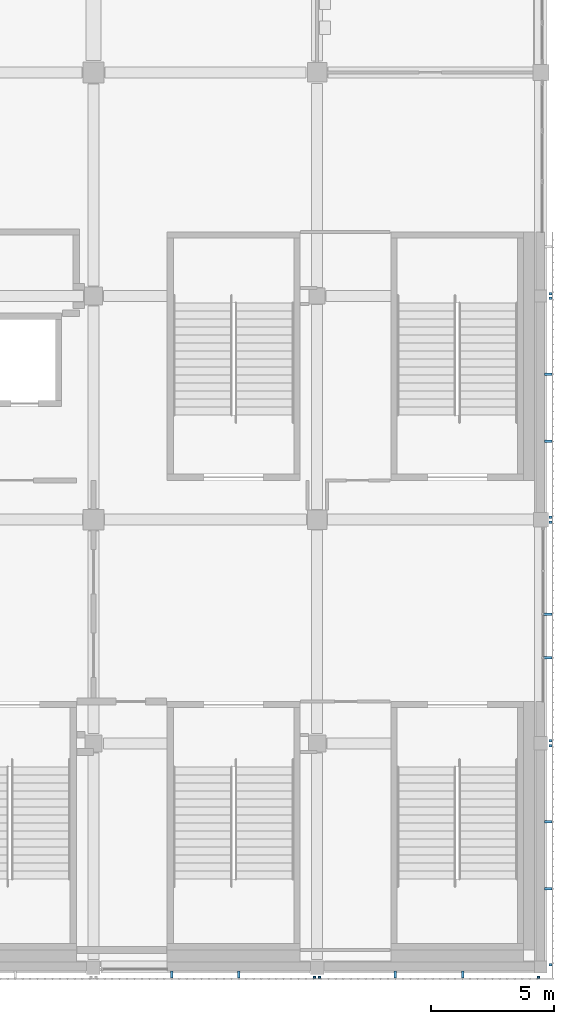
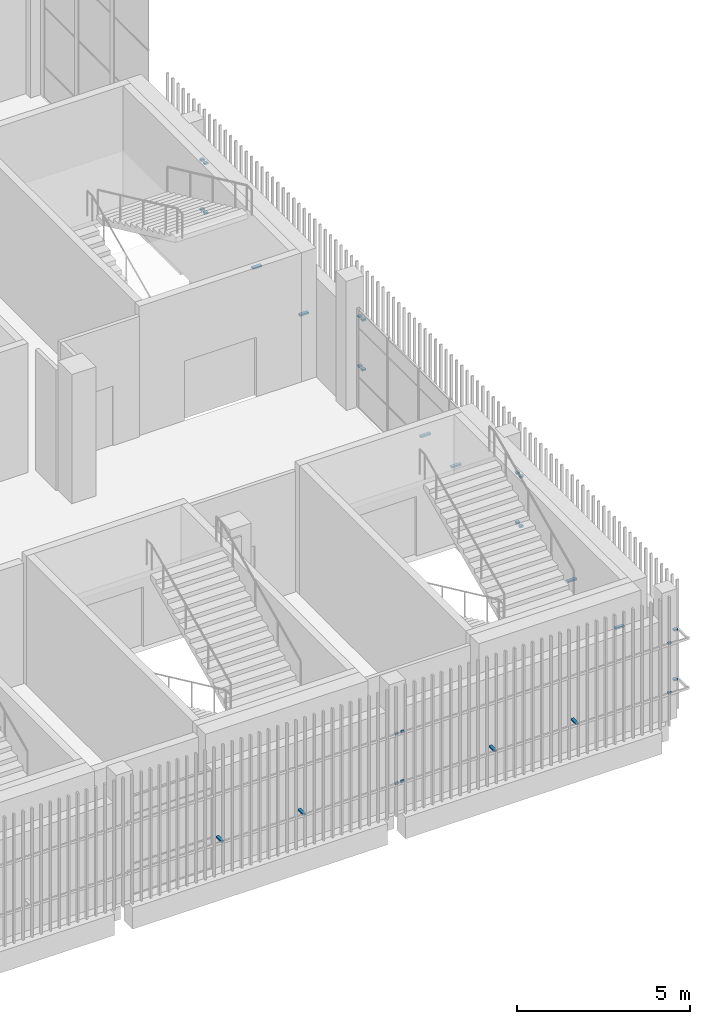
# One storey, part 104 of 126: 30 discrete accessories.
"""IFC4 building model written with IfcOpenShell, lengths in metres."""

from ifc_helpers import new_model, si_unit, direction, frame, origin, origin_2d, place, context, subcontext, project, spatial, rectangle, extrude, material, type_object, element, save


model = new_model("IFC4")

# Units and contexts
model_context = context("Model", 3, precision=1e-05, world=origin(), true_north=direction((0.0, 1.0)))
body_context = subcontext(model_context, "Body", "Model", "MODEL_VIEW")
ifc_project = project(units=[si_unit("LENGTHUNIT", "METRE"), si_unit("AREAUNIT", "SQUARE_METRE"), si_unit("VOLUMEUNIT", "CUBIC_METRE"), si_unit("PLANEANGLEUNIT", "RADIAN"), si_unit("MASSUNIT", "GRAM", prefix="KILO")], contexts=[model_context])

# Site, building, storey
site_placement = place(None, origin())
site = spatial("IfcSite", under=ifc_project, at=site_placement, CompositionType="ELEMENT")
building_placement = place(site_placement, origin())
building = spatial("IfcBuilding", under=site, at=building_placement, Name="Shirokan Park Arena", CompositionType="ELEMENT")
storey_placement = place(building_placement, frame((0.0, 0.0, 6.3701171875)))
storey = spatial("IfcBuildingStorey", under=building, at=storey_placement, Name="L01", CompositionType="ELEMENT", Elevation=6.3701171875)

# Discrete accessories
ifc_material = material(Name="Steel S355", Category="steel")
discrete_accessory_type = type_object("IfcDiscreteAccessoryType", Name="Veil bracket 100x60", PredefinedType="BRACKET", material=ifc_material)
for number, where, z_axis, x_axis, name in (
    (1, (136.39990234375, -0.409912109375, 1.06982421875), (0.0, 0.0, 1.0), (1.0, 0.0, 0.0), "Veil bracket south bay 15 L01 2"),
    (2, (136.39990234375, -0.409912109375, 2.81982421875), (0.0, 0.0, 1.0), (1.0, 0.0, 0.0), "Veil bracket south bay 15 L01 4"),
):
    element("IfcDiscreteAccessory", number, at=place(storey_placement, frame(where, z_axis=z_axis, x_axis=x_axis)), inside=storey, type_object=discrete_accessory_type, Name=name, PredefinedType="BRACKET", context=body_context, shape_type="SweptSolid", body=[
        extrude(rectangle(XDim=0.10009765625, YDim=0.070068359375, at=origin_2d()), origin(), (0.0, 0.0, 1.0), 0.06005859375),
    ])
for number, where, z_axis, x_axis, name in (
    (3, (130.5849609375, -0.297607421875, 1.06982421875), (0.0, 0.0, 1.0), (1.0, 0.0, 0.0), "Veil bracket south bay 15 L01 wall 1"),
    (4, (133.31494140625, -0.297607421875, 1.06982421875), (0.0, 0.0, 1.0), (1.0, 0.0, 0.0), "Veil bracket south bay 15 L01 wall 2"),
):
    element("IfcDiscreteAccessory", number, at=place(storey_placement, frame(where, z_axis=z_axis, x_axis=x_axis)), inside=storey, type_object=discrete_accessory_type, Name=name, PredefinedType="BRACKET", context=body_context, shape_type="SweptSolid", body=[
        extrude(rectangle(XDim=0.10009765625, YDim=0.294921875, at=origin_2d()), origin(), (0.0, 0.0, 1.0), 0.06005859375),
    ])
for number, where, z_axis, x_axis, name in (
    (5, (136.60009765625, -0.409912109375, 1.06982421875), (0.0, 0.0, 1.0), (1.0, 0.0, 0.0), "Veil bracket south bay 16 L01 1"),
    (6, (145.5, -0.409912109375, 1.06982421875), (0.0, 0.0, 1.0), (1.0, 0.0, 0.0), "Veil bracket south bay 16 L01 2"),
    (7, (136.60009765625, -0.409912109375, 2.81982421875), (0.0, 0.0, 1.0), (1.0, 0.0, 0.0), "Veil bracket south bay 16 L01 3"),
    (8, (145.5, -0.409912109375, 2.81982421875), (0.0, 0.0, 1.0), (1.0, 0.0, 0.0), "Veil bracket south bay 16 L01 4"),
):
    element("IfcDiscreteAccessory", number, at=place(storey_placement, frame(where, z_axis=z_axis, x_axis=x_axis)), inside=storey, type_object=discrete_accessory_type, Name=name, PredefinedType="BRACKET", context=body_context, shape_type="SweptSolid", body=[
        extrude(rectangle(XDim=0.10009765625, YDim=0.070068359375, at=origin_2d()), origin(), (0.0, 0.0, 1.0), 0.06005859375),
    ])
for number, where, z_axis, x_axis, name in (
    (9, (139.68505859375, -0.297607421875, 1.06982421875), (0.0, 0.0, 1.0), (1.0, 0.0, 0.0), "Veil bracket south bay 16 L01 wall 1"),
    (10, (142.4150390625, -0.297607421875, 1.06982421875), (0.0, 0.0, 1.0), (1.0, 0.0, 0.0), "Veil bracket south bay 16 L01 wall 2"),
):
    element("IfcDiscreteAccessory", number, at=place(storey_placement, frame(where, z_axis=z_axis, x_axis=x_axis)), inside=storey, type_object=discrete_accessory_type, Name=name, PredefinedType="BRACKET", context=body_context, shape_type="SweptSolid", body=[
        extrude(rectangle(XDim=0.10009765625, YDim=0.294921875, at=origin_2d()), origin(), (0.0, 0.0, 1.0), 0.06005859375),
    ])
for number, where, z_axis, x_axis, name in (
    (11, (145.985107421875, 0.10009765625, 1.06982421875), (0.0, 0.0, 1.0), (0.0, 1.0, 0.0), "Veil bracket east bay 1 L01 1"),
    (12, (145.985107421875, 9.0, 1.06982421875), (0.0, 0.0, 1.0), (0.0, 1.0, 0.0), "Veil bracket east bay 1 L01 2"),
    (13, (145.985107421875, 0.10009765625, 2.81982421875), (0.0, 0.0, 1.0), (0.0, 1.0, 0.0), "Veil bracket east bay 1 L01 3"),
    (14, (145.985107421875, 9.0, 2.81982421875), (0.0, 0.0, 1.0), (0.0, 1.0, 0.0), "Veil bracket east bay 1 L01 4"),
):
    element("IfcDiscreteAccessory", number, at=place(storey_placement, frame(where, z_axis=z_axis, x_axis=x_axis)), inside=storey, type_object=discrete_accessory_type, Name=name, PredefinedType="BRACKET", context=body_context, shape_type="SweptSolid", body=[
        extrude(rectangle(XDim=0.10009765625, YDim=0.1201171875, at=origin_2d()), origin(), (0.0, 0.0, 1.0), 0.06005859375),
    ])
for number, where, z_axis, x_axis, name in (
    (15, (145.8974609375, 3.18505859375, 1.06982421875), (0.0, 0.0, 1.0), (0.0, 1.0, 0.0), "Veil bracket east bay 1 L01 wall 1"),
    (16, (145.8974609375, 5.9150390625, 1.06982421875), (0.0, 0.0, 1.0), (0.0, 1.0, 0.0), "Veil bracket east bay 1 L01 wall 2"),
):
    element("IfcDiscreteAccessory", number, at=place(storey_placement, frame(where, z_axis=z_axis, x_axis=x_axis)), inside=storey, type_object=discrete_accessory_type, Name=name, PredefinedType="BRACKET", context=body_context, shape_type="SweptSolid", body=[
        extrude(rectangle(XDim=0.10009765625, YDim=0.294921875, at=origin_2d()), origin(), (0.0, 0.0, 1.0), 0.06005859375),
    ])
for number, where, z_axis, x_axis, name in (
    (17, (145.985107421875, 9.199951171875, 1.06982421875), (0.0, 0.0, 1.0), (0.0, 1.0, 0.0), "Veil bracket east bay 2 L01 1"),
    (18, (145.985107421875, 18.10009765625, 1.06982421875), (0.0, 0.0, 1.0), (0.0, 1.0, 0.0), "Veil bracket east bay 2 L01 2"),
    (19, (145.985107421875, 9.199951171875, 2.81982421875), (0.0, 0.0, 1.0), (0.0, 1.0, 0.0), "Veil bracket east bay 2 L01 3"),
    (20, (145.985107421875, 18.10009765625, 2.81982421875), (0.0, 0.0, 1.0), (0.0, 1.0, 0.0), "Veil bracket east bay 2 L01 4"),
):
    element("IfcDiscreteAccessory", number, at=place(storey_placement, frame(where, z_axis=z_axis, x_axis=x_axis)), inside=storey, type_object=discrete_accessory_type, Name=name, PredefinedType="BRACKET", context=body_context, shape_type="SweptSolid", body=[
        extrude(rectangle(XDim=0.10009765625, YDim=0.1201171875, at=origin_2d()), origin(), (0.0, 0.0, 1.0), 0.06005859375),
    ])
for number, where, z_axis, x_axis, name in (
    (21, (145.8798828125, 12.574951171875, 1.06982421875), (0.0, 0.0, 1.0), (0.0, 1.0, 0.0), "Veil bracket east bay 2 L01 wall 1"),
    (22, (145.8798828125, 14.35009765625, 1.06982421875), (0.0, 0.0, 1.0), (0.0, 1.0, 0.0), "Veil bracket east bay 2 L01 wall 2"),
):
    element("IfcDiscreteAccessory", number, at=place(storey_placement, frame(where, z_axis=z_axis, x_axis=x_axis)), inside=storey, type_object=discrete_accessory_type, Name=name, PredefinedType="BRACKET", context=body_context, shape_type="SweptSolid", body=[
        extrude(rectangle(XDim=0.10009765625, YDim=0.330078125, at=origin_2d()), origin(), (0.0, 0.0, 1.0), 0.06005859375),
    ])
for number, where, z_axis, x_axis, name in (
    (23, (145.985107421875, 18.300048828125, 1.06982421875), (0.0, 0.0, 1.0), (0.0, 1.0, 0.0), "Veil bracket east bay 3 L01 1"),
    (24, (145.985107421875, 27.199951171875, 1.06982421875), (0.0, 0.0, 1.0), (0.0, 1.0, 0.0), "Veil bracket east bay 3 L01 2"),
    (25, (145.985107421875, 18.300048828125, 2.81982421875), (0.0, 0.0, 1.0), (0.0, 1.0, 0.0), "Veil bracket east bay 3 L01 3"),
    (26, (145.985107421875, 27.199951171875, 2.81982421875), (0.0, 0.0, 1.0), (0.0, 1.0, 0.0), "Veil bracket east bay 3 L01 4"),
):
    element("IfcDiscreteAccessory", number, at=place(storey_placement, frame(where, z_axis=z_axis, x_axis=x_axis)), inside=storey, type_object=discrete_accessory_type, Name=name, PredefinedType="BRACKET", context=body_context, shape_type="SweptSolid", body=[
        extrude(rectangle(XDim=0.10009765625, YDim=0.1201171875, at=origin_2d()), origin(), (0.0, 0.0, 1.0), 0.06005859375),
    ])
for number, where, z_axis, x_axis, name in (
    (27, (145.8974609375, 21.385009765625, 1.06982421875), (0.0, 0.0, 1.0), (0.0, 1.0, 0.0), "Veil bracket east bay 3 L01 wall 1"),
    (28, (145.8974609375, 24.114990234375, 1.06982421875), (0.0, 0.0, 1.0), (0.0, 1.0, 0.0), "Veil bracket east bay 3 L01 wall 2"),
):
    element("IfcDiscreteAccessory", number, at=place(storey_placement, frame(where, z_axis=z_axis, x_axis=x_axis)), inside=storey, type_object=discrete_accessory_type, Name=name, PredefinedType="BRACKET", context=body_context, shape_type="SweptSolid", body=[
        extrude(rectangle(XDim=0.10009765625, YDim=0.294921875, at=origin_2d()), origin(), (0.0, 0.0, 1.0), 0.06005859375),
    ])
for number, where, z_axis, x_axis, name in (
    (29, (145.985107421875, 27.39990234375, 1.06982421875), (0.0, 0.0, 1.0), (0.0, 1.0, 0.0), "Veil bracket east bay 4 L01 1"),
    (30, (145.985107421875, 27.39990234375, 2.81982421875), (0.0, 0.0, 1.0), (0.0, 1.0, 0.0), "Veil bracket east bay 4 L01 3"),
):
    element("IfcDiscreteAccessory", number, at=place(storey_placement, frame(where, z_axis=z_axis, x_axis=x_axis)), inside=storey, type_object=discrete_accessory_type, Name=name, PredefinedType="BRACKET", context=body_context, shape_type="SweptSolid", body=[
        extrude(rectangle(XDim=0.10009765625, YDim=0.1201171875, at=origin_2d()), origin(), (0.0, 0.0, 1.0), 0.06005859375),
    ])

save(model, "model.ifc")
